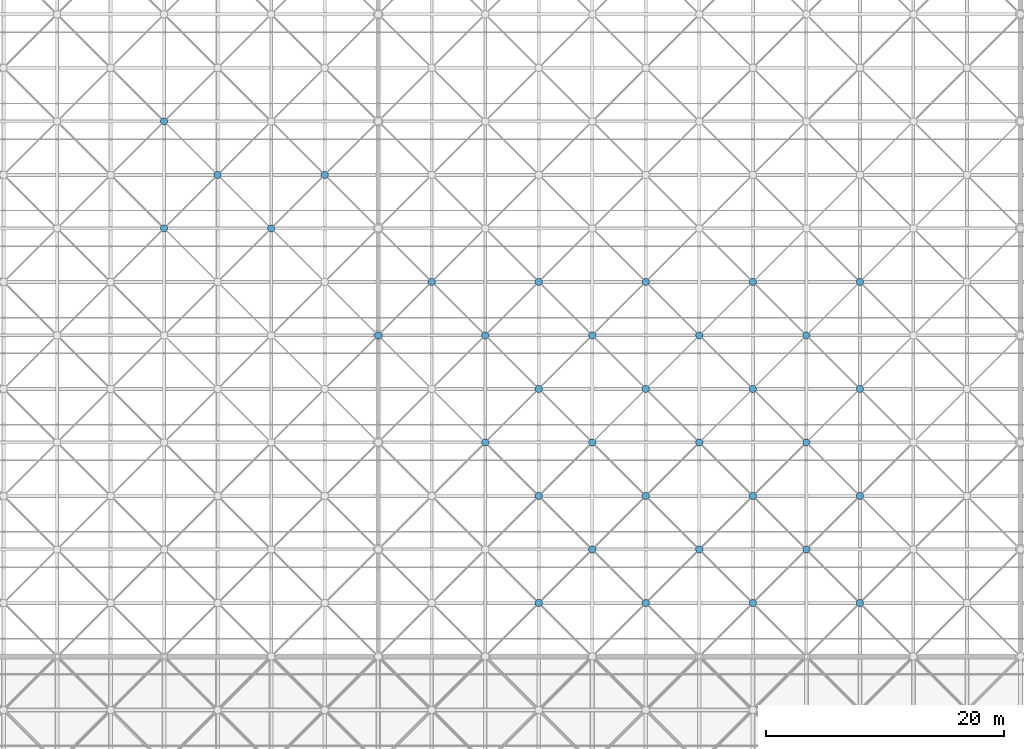
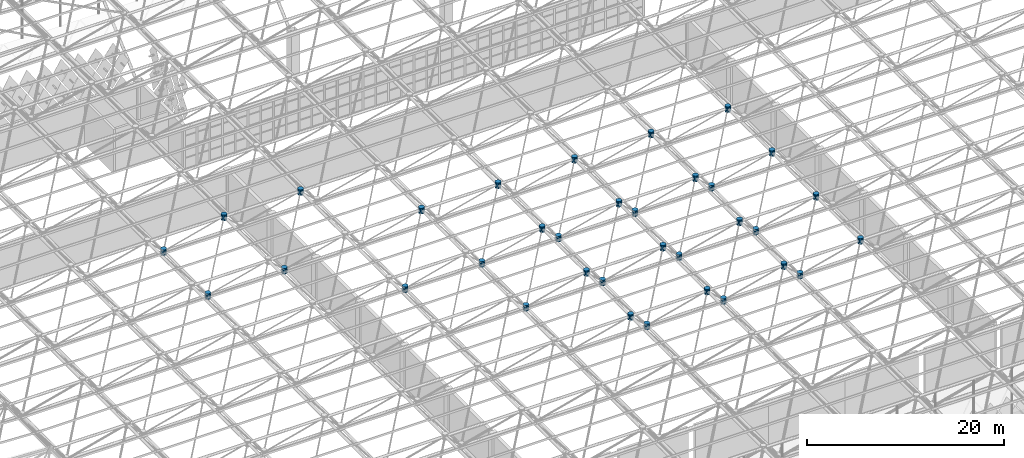
# One storey, part 309 of 437: 34 discrete accessories.
"""IFC4 building model written with IfcOpenShell, lengths in metres."""

from ifc_helpers import new_model, si_unit, direction, frame, origin, place, context, subcontext, project, spatial, polyline, outline, extrude, material, type_object, element, save


model = new_model("IFC4")

# Units and contexts
model_context = context("Model", 3, precision=1e-05, world=origin(), true_north=direction((0.0, 1.0)))
body_context = subcontext(model_context, "Body", "Model", "MODEL_VIEW")
ifc_project = project(units=[si_unit("LENGTHUNIT", "METRE"), si_unit("AREAUNIT", "SQUARE_METRE"), si_unit("VOLUMEUNIT", "CUBIC_METRE"), si_unit("PLANEANGLEUNIT", "RADIAN"), si_unit("MASSUNIT", "GRAM", prefix="KILO")], contexts=[model_context])

# Site, building, storey
site_placement = place(None, origin())
site = spatial("IfcSite", under=ifc_project, at=site_placement, CompositionType="ELEMENT")
building_placement = place(site_placement, origin())
building = spatial("IfcBuilding", under=site, at=building_placement, Name="Opaline Strait Convention Centre", CompositionType="ELEMENT")
storey_placement = place(building_placement, frame((0.0, 0.0, 11.5)))
storey = spatial("IfcBuildingStorey", under=building, at=storey_placement, Name="L02", CompositionType="ELEMENT", Elevation=11.5)

# Discrete accessories
ifc_material = material(Name="Cast steel ZG300-500H (300 MPa)", Category="steel")
discrete_accessory_type = type_object("IfcDiscreteAccessoryType", Name="Space frame node hub D600", PredefinedType="USERDEFINED", material=ifc_material)
discrete_accessory_1_placement = place(storey_placement, frame((0.0, 0.0, 17.611572265625)))
element("IfcDiscreteAccessory", 1, at=discrete_accessory_1_placement, inside=storey, type_object=discrete_accessory_type, Name="Top node 7/9", ObjectType="NODE HUB", PredefinedType="USERDEFINED", context=body_context, shape_type="SweptSolid", body=[
    extrude(outline(polyline([(139.800048828125, 112.559814453125), (139.75439453125, 112.669921875), (139.669921875, 112.75439453125), (139.559814453125, 112.800048828125), (139.440185546875, 112.800048828125), (139.330078125, 112.75439453125), (139.24560546875, 112.669921875), (139.199951171875, 112.559814453125), (139.199951171875, 112.440185546875), (139.24560546875, 112.330078125), (139.330078125, 112.24560546875), (139.440185546875, 112.199951171875), (139.559814453125, 112.199951171875), (139.669921875, 112.24560546875), (139.75439453125, 112.330078125), (139.800048828125, 112.440185546875), (139.800048828125, 112.559814453125)])), origin(), (0.0, 0.0, 1.0), 0.719970703125),
])
discrete_accessory_2_placement = place(storey_placement, frame((0.0, 0.0, 17.611572265625)))
element("IfcDiscreteAccessory", 2, at=discrete_accessory_2_placement, inside=storey, type_object=discrete_accessory_type, Name="Top node 8/9", ObjectType="NODE HUB", PredefinedType="USERDEFINED", context=body_context, shape_type="SweptSolid", body=[
    extrude(outline(polyline([(148.800048828125, 112.559814453125), (148.75439453125, 112.669921875), (148.669921875, 112.75439453125), (148.559814453125, 112.800048828125), (148.440185546875, 112.800048828125), (148.330078125, 112.75439453125), (148.24560546875, 112.669921875), (148.199951171875, 112.559814453125), (148.199951171875, 112.440185546875), (148.24560546875, 112.330078125), (148.330078125, 112.24560546875), (148.440185546875, 112.199951171875), (148.559814453125, 112.199951171875), (148.669921875, 112.24560546875), (148.75439453125, 112.330078125), (148.800048828125, 112.440185546875), (148.800048828125, 112.559814453125)])), origin(), (0.0, 0.0, 1.0), 0.719970703125),
])
discrete_accessory_3_placement = place(storey_placement, frame((0.0, 0.0, 17.611572265625)))
element("IfcDiscreteAccessory", 3, at=discrete_accessory_3_placement, inside=storey, type_object=discrete_accessory_type, Name="Top node 9/8", ObjectType="NODE HUB", PredefinedType="USERDEFINED", context=body_context, shape_type="SweptSolid", body=[
    extrude(outline(polyline([(157.800048828125, 103.559814453125), (157.75439453125, 103.669921875), (157.669921875, 103.75439453125), (157.559814453125, 103.800048828125), (157.440185546875, 103.800048828125), (157.330078125, 103.75439453125), (157.24560546875, 103.669921875), (157.199951171875, 103.559814453125), (157.199951171875, 103.440185546875), (157.24560546875, 103.330078125), (157.330078125, 103.24560546875), (157.440185546875, 103.199951171875), (157.559814453125, 103.199951171875), (157.669921875, 103.24560546875), (157.75439453125, 103.330078125), (157.800048828125, 103.440185546875), (157.800048828125, 103.559814453125)])), origin(), (0.0, 0.0, 1.0), 0.719970703125),
])
discrete_accessory_4_placement = place(storey_placement, frame((0.0, 0.0, 17.611572265625)))
element("IfcDiscreteAccessory", 4, at=discrete_accessory_4_placement, inside=storey, type_object=discrete_accessory_type, Name="Top node 10/5", ObjectType="NODE HUB", PredefinedType="USERDEFINED", context=body_context, shape_type="SweptSolid", body=[
    extrude(outline(polyline([(166.800048828125, 76.559814453125), (166.75439453125, 76.669921875), (166.669921875, 76.75439453125), (166.559814453125, 76.800048828125), (166.440185546875, 76.800048828125), (166.330078125, 76.75439453125), (166.24560546875, 76.669921875), (166.199951171875, 76.559814453125), (166.199951171875, 76.440185546875), (166.24560546875, 76.330078125), (166.330078125, 76.24560546875), (166.440185546875, 76.199951171875), (166.559814453125, 76.199951171875), (166.669921875, 76.24560546875), (166.75439453125, 76.330078125), (166.800048828125, 76.440185546875), (166.800048828125, 76.559814453125)])), origin(), (0.0, 0.0, 1.0), 0.719970703125),
])
discrete_accessory_5_placement = place(storey_placement, frame((0.0, 0.0, 17.611572265625)))
element("IfcDiscreteAccessory", 5, at=discrete_accessory_5_placement, inside=storey, type_object=discrete_accessory_type, Name="Top node 10/6", ObjectType="NODE HUB", PredefinedType="USERDEFINED", context=body_context, shape_type="SweptSolid", body=[
    extrude(outline(polyline([(166.800048828125, 85.559814453125), (166.75439453125, 85.669921875), (166.669921875, 85.75439453125), (166.559814453125, 85.800048828125), (166.440185546875, 85.800048828125), (166.330078125, 85.75439453125), (166.24560546875, 85.669921875), (166.199951171875, 85.559814453125), (166.199951171875, 85.440185546875), (166.24560546875, 85.330078125), (166.330078125, 85.24560546875), (166.440185546875, 85.199951171875), (166.559814453125, 85.199951171875), (166.669921875, 85.24560546875), (166.75439453125, 85.330078125), (166.800048828125, 85.440185546875), (166.800048828125, 85.559814453125)])), origin(), (0.0, 0.0, 1.0), 0.719970703125),
])
discrete_accessory_6_placement = place(storey_placement, frame((0.0, 0.0, 17.611572265625)))
element("IfcDiscreteAccessory", 6, at=discrete_accessory_6_placement, inside=storey, type_object=discrete_accessory_type, Name="Top node 10/7", ObjectType="NODE HUB", PredefinedType="USERDEFINED", context=body_context, shape_type="SweptSolid", body=[
    extrude(outline(polyline([(166.800048828125, 94.559814453125), (166.75439453125, 94.669921875), (166.669921875, 94.75439453125), (166.559814453125, 94.800048828125), (166.440185546875, 94.800048828125), (166.330078125, 94.75439453125), (166.24560546875, 94.669921875), (166.199951171875, 94.559814453125), (166.199951171875, 94.440185546875), (166.24560546875, 94.330078125), (166.330078125, 94.24560546875), (166.440185546875, 94.199951171875), (166.559814453125, 94.199951171875), (166.669921875, 94.24560546875), (166.75439453125, 94.330078125), (166.800048828125, 94.440185546875), (166.800048828125, 94.559814453125)])), origin(), (0.0, 0.0, 1.0), 0.719970703125),
])
discrete_accessory_7_placement = place(storey_placement, frame((0.0, 0.0, 17.611572265625)))
element("IfcDiscreteAccessory", 7, at=discrete_accessory_7_placement, inside=storey, type_object=discrete_accessory_type, Name="Top node 10/8", ObjectType="NODE HUB", PredefinedType="USERDEFINED", context=body_context, shape_type="SweptSolid", body=[
    extrude(outline(polyline([(166.800048828125, 103.559814453125), (166.75439453125, 103.669921875), (166.669921875, 103.75439453125), (166.559814453125, 103.800048828125), (166.440185546875, 103.800048828125), (166.330078125, 103.75439453125), (166.24560546875, 103.669921875), (166.199951171875, 103.559814453125), (166.199951171875, 103.440185546875), (166.24560546875, 103.330078125), (166.330078125, 103.24560546875), (166.440185546875, 103.199951171875), (166.559814453125, 103.199951171875), (166.669921875, 103.24560546875), (166.75439453125, 103.330078125), (166.800048828125, 103.440185546875), (166.800048828125, 103.559814453125)])), origin(), (0.0, 0.0, 1.0), 0.719970703125),
])
discrete_accessory_8_placement = place(storey_placement, frame((0.0, 0.0, 17.611572265625)))
element("IfcDiscreteAccessory", 8, at=discrete_accessory_8_placement, inside=storey, type_object=discrete_accessory_type, Name="Top node 11/5", ObjectType="NODE HUB", PredefinedType="USERDEFINED", context=body_context, shape_type="SweptSolid", body=[
    extrude(outline(polyline([(175.800048828125, 76.559814453125), (175.75439453125, 76.669921875), (175.669921875, 76.75439453125), (175.559814453125, 76.800048828125), (175.440185546875, 76.800048828125), (175.330078125, 76.75439453125), (175.24560546875, 76.669921875), (175.199951171875, 76.559814453125), (175.199951171875, 76.440185546875), (175.24560546875, 76.330078125), (175.330078125, 76.24560546875), (175.440185546875, 76.199951171875), (175.559814453125, 76.199951171875), (175.669921875, 76.24560546875), (175.75439453125, 76.330078125), (175.800048828125, 76.440185546875), (175.800048828125, 76.559814453125)])), origin(), (0.0, 0.0, 1.0), 0.719970703125),
])
discrete_accessory_9_placement = place(storey_placement, frame((0.0, 0.0, 17.611572265625)))
element("IfcDiscreteAccessory", 9, at=discrete_accessory_9_placement, inside=storey, type_object=discrete_accessory_type, Name="Top node 11/6", ObjectType="NODE HUB", PredefinedType="USERDEFINED", context=body_context, shape_type="SweptSolid", body=[
    extrude(outline(polyline([(175.800048828125, 85.559814453125), (175.75439453125, 85.669921875), (175.669921875, 85.75439453125), (175.559814453125, 85.800048828125), (175.440185546875, 85.800048828125), (175.330078125, 85.75439453125), (175.24560546875, 85.669921875), (175.199951171875, 85.559814453125), (175.199951171875, 85.440185546875), (175.24560546875, 85.330078125), (175.330078125, 85.24560546875), (175.440185546875, 85.199951171875), (175.559814453125, 85.199951171875), (175.669921875, 85.24560546875), (175.75439453125, 85.330078125), (175.800048828125, 85.440185546875), (175.800048828125, 85.559814453125)])), origin(), (0.0, 0.0, 1.0), 0.719970703125),
])
discrete_accessory_10_placement = place(storey_placement, frame((0.0, 0.0, 17.611572265625)))
element("IfcDiscreteAccessory", 10, at=discrete_accessory_10_placement, inside=storey, type_object=discrete_accessory_type, Name="Top node 11/7", ObjectType="NODE HUB", PredefinedType="USERDEFINED", context=body_context, shape_type="SweptSolid", body=[
    extrude(outline(polyline([(175.800048828125, 94.559814453125), (175.75439453125, 94.669921875), (175.669921875, 94.75439453125), (175.559814453125, 94.800048828125), (175.440185546875, 94.800048828125), (175.330078125, 94.75439453125), (175.24560546875, 94.669921875), (175.199951171875, 94.559814453125), (175.199951171875, 94.440185546875), (175.24560546875, 94.330078125), (175.330078125, 94.24560546875), (175.440185546875, 94.199951171875), (175.559814453125, 94.199951171875), (175.669921875, 94.24560546875), (175.75439453125, 94.330078125), (175.800048828125, 94.440185546875), (175.800048828125, 94.559814453125)])), origin(), (0.0, 0.0, 1.0), 0.719970703125),
])
discrete_accessory_11_placement = place(storey_placement, frame((0.0, 0.0, 17.611572265625)))
element("IfcDiscreteAccessory", 11, at=discrete_accessory_11_placement, inside=storey, type_object=discrete_accessory_type, Name="Top node 11/8", ObjectType="NODE HUB", PredefinedType="USERDEFINED", context=body_context, shape_type="SweptSolid", body=[
    extrude(outline(polyline([(175.800048828125, 103.559814453125), (175.75439453125, 103.669921875), (175.669921875, 103.75439453125), (175.559814453125, 103.800048828125), (175.440185546875, 103.800048828125), (175.330078125, 103.75439453125), (175.24560546875, 103.669921875), (175.199951171875, 103.559814453125), (175.199951171875, 103.440185546875), (175.24560546875, 103.330078125), (175.330078125, 103.24560546875), (175.440185546875, 103.199951171875), (175.559814453125, 103.199951171875), (175.669921875, 103.24560546875), (175.75439453125, 103.330078125), (175.800048828125, 103.440185546875), (175.800048828125, 103.559814453125)])), origin(), (0.0, 0.0, 1.0), 0.719970703125),
])
discrete_accessory_12_placement = place(storey_placement, frame((0.0, 0.0, 17.611572265625)))
element("IfcDiscreteAccessory", 12, at=discrete_accessory_12_placement, inside=storey, type_object=discrete_accessory_type, Name="Top node 12/5", ObjectType="NODE HUB", PredefinedType="USERDEFINED", context=body_context, shape_type="SweptSolid", body=[
    extrude(outline(polyline([(184.800048828125, 76.559814453125), (184.75439453125, 76.669921875), (184.669921875, 76.75439453125), (184.559814453125, 76.800048828125), (184.440185546875, 76.800048828125), (184.330078125, 76.75439453125), (184.24560546875, 76.669921875), (184.199951171875, 76.559814453125), (184.199951171875, 76.440185546875), (184.24560546875, 76.330078125), (184.330078125, 76.24560546875), (184.440185546875, 76.199951171875), (184.559814453125, 76.199951171875), (184.669921875, 76.24560546875), (184.75439453125, 76.330078125), (184.800048828125, 76.440185546875), (184.800048828125, 76.559814453125)])), origin(), (0.0, 0.0, 1.0), 0.719970703125),
])
discrete_accessory_13_placement = place(storey_placement, frame((0.0, 0.0, 17.611572265625)))
element("IfcDiscreteAccessory", 13, at=discrete_accessory_13_placement, inside=storey, type_object=discrete_accessory_type, Name="Top node 12/6", ObjectType="NODE HUB", PredefinedType="USERDEFINED", context=body_context, shape_type="SweptSolid", body=[
    extrude(outline(polyline([(184.800048828125, 85.559814453125), (184.75439453125, 85.669921875), (184.669921875, 85.75439453125), (184.559814453125, 85.800048828125), (184.440185546875, 85.800048828125), (184.330078125, 85.75439453125), (184.24560546875, 85.669921875), (184.199951171875, 85.559814453125), (184.199951171875, 85.440185546875), (184.24560546875, 85.330078125), (184.330078125, 85.24560546875), (184.440185546875, 85.199951171875), (184.559814453125, 85.199951171875), (184.669921875, 85.24560546875), (184.75439453125, 85.330078125), (184.800048828125, 85.440185546875), (184.800048828125, 85.559814453125)])), origin(), (0.0, 0.0, 1.0), 0.719970703125),
])
discrete_accessory_14_placement = place(storey_placement, frame((0.0, 0.0, 17.611572265625)))
element("IfcDiscreteAccessory", 14, at=discrete_accessory_14_placement, inside=storey, type_object=discrete_accessory_type, Name="Top node 12/7", ObjectType="NODE HUB", PredefinedType="USERDEFINED", context=body_context, shape_type="SweptSolid", body=[
    extrude(outline(polyline([(184.800048828125, 94.559814453125), (184.75439453125, 94.669921875), (184.669921875, 94.75439453125), (184.559814453125, 94.800048828125), (184.440185546875, 94.800048828125), (184.330078125, 94.75439453125), (184.24560546875, 94.669921875), (184.199951171875, 94.559814453125), (184.199951171875, 94.440185546875), (184.24560546875, 94.330078125), (184.330078125, 94.24560546875), (184.440185546875, 94.199951171875), (184.559814453125, 94.199951171875), (184.669921875, 94.24560546875), (184.75439453125, 94.330078125), (184.800048828125, 94.440185546875), (184.800048828125, 94.559814453125)])), origin(), (0.0, 0.0, 1.0), 0.719970703125),
])
discrete_accessory_15_placement = place(storey_placement, frame((0.0, 0.0, 17.611572265625)))
element("IfcDiscreteAccessory", 15, at=discrete_accessory_15_placement, inside=storey, type_object=discrete_accessory_type, Name="Top node 12/8", ObjectType="NODE HUB", PredefinedType="USERDEFINED", context=body_context, shape_type="SweptSolid", body=[
    extrude(outline(polyline([(184.800048828125, 103.559814453125), (184.75439453125, 103.669921875), (184.669921875, 103.75439453125), (184.559814453125, 103.800048828125), (184.440185546875, 103.800048828125), (184.330078125, 103.75439453125), (184.24560546875, 103.669921875), (184.199951171875, 103.559814453125), (184.199951171875, 103.440185546875), (184.24560546875, 103.330078125), (184.330078125, 103.24560546875), (184.440185546875, 103.199951171875), (184.559814453125, 103.199951171875), (184.669921875, 103.24560546875), (184.75439453125, 103.330078125), (184.800048828125, 103.440185546875), (184.800048828125, 103.559814453125)])), origin(), (0.0, 0.0, 1.0), 0.719970703125),
])
discrete_accessory_16_placement = place(storey_placement, frame((0.0, 0.0, 17.611572265625)))
element("IfcDiscreteAccessory", 16, at=discrete_accessory_16_placement, inside=storey, type_object=discrete_accessory_type, Name="Top node 13/5", ObjectType="NODE HUB", PredefinedType="USERDEFINED", context=body_context, shape_type="SweptSolid", body=[
    extrude(outline(polyline([(193.800048828125, 76.559814453125), (193.75439453125, 76.669921875), (193.669921875, 76.75439453125), (193.559814453125, 76.800048828125), (193.440185546875, 76.800048828125), (193.330078125, 76.75439453125), (193.24560546875, 76.669921875), (193.199951171875, 76.559814453125), (193.199951171875, 76.440185546875), (193.24560546875, 76.330078125), (193.330078125, 76.24560546875), (193.440185546875, 76.199951171875), (193.559814453125, 76.199951171875), (193.669921875, 76.24560546875), (193.75439453125, 76.330078125), (193.800048828125, 76.440185546875), (193.800048828125, 76.559814453125)])), origin(), (0.0, 0.0, 1.0), 0.719970703125),
])
discrete_accessory_17_placement = place(storey_placement, frame((0.0, 0.0, 17.611572265625)))
element("IfcDiscreteAccessory", 17, at=discrete_accessory_17_placement, inside=storey, type_object=discrete_accessory_type, Name="Top node 13/6", ObjectType="NODE HUB", PredefinedType="USERDEFINED", context=body_context, shape_type="SweptSolid", body=[
    extrude(outline(polyline([(193.800048828125, 85.559814453125), (193.75439453125, 85.669921875), (193.669921875, 85.75439453125), (193.559814453125, 85.800048828125), (193.440185546875, 85.800048828125), (193.330078125, 85.75439453125), (193.24560546875, 85.669921875), (193.199951171875, 85.559814453125), (193.199951171875, 85.440185546875), (193.24560546875, 85.330078125), (193.330078125, 85.24560546875), (193.440185546875, 85.199951171875), (193.559814453125, 85.199951171875), (193.669921875, 85.24560546875), (193.75439453125, 85.330078125), (193.800048828125, 85.440185546875), (193.800048828125, 85.559814453125)])), origin(), (0.0, 0.0, 1.0), 0.719970703125),
])
discrete_accessory_18_placement = place(storey_placement, frame((0.0, 0.0, 17.611572265625)))
element("IfcDiscreteAccessory", 18, at=discrete_accessory_18_placement, inside=storey, type_object=discrete_accessory_type, Name="Top node 13/7", ObjectType="NODE HUB", PredefinedType="USERDEFINED", context=body_context, shape_type="SweptSolid", body=[
    extrude(outline(polyline([(193.800048828125, 94.559814453125), (193.75439453125, 94.669921875), (193.669921875, 94.75439453125), (193.559814453125, 94.800048828125), (193.440185546875, 94.800048828125), (193.330078125, 94.75439453125), (193.24560546875, 94.669921875), (193.199951171875, 94.559814453125), (193.199951171875, 94.440185546875), (193.24560546875, 94.330078125), (193.330078125, 94.24560546875), (193.440185546875, 94.199951171875), (193.559814453125, 94.199951171875), (193.669921875, 94.24560546875), (193.75439453125, 94.330078125), (193.800048828125, 94.440185546875), (193.800048828125, 94.559814453125)])), origin(), (0.0, 0.0, 1.0), 0.719970703125),
])
discrete_accessory_19_placement = place(storey_placement, frame((0.0, 0.0, 17.611572265625)))
element("IfcDiscreteAccessory", 19, at=discrete_accessory_19_placement, inside=storey, type_object=discrete_accessory_type, Name="Top node 13/8", ObjectType="NODE HUB", PredefinedType="USERDEFINED", context=body_context, shape_type="SweptSolid", body=[
    extrude(outline(polyline([(193.800048828125, 103.559814453125), (193.75439453125, 103.669921875), (193.669921875, 103.75439453125), (193.559814453125, 103.800048828125), (193.440185546875, 103.800048828125), (193.330078125, 103.75439453125), (193.24560546875, 103.669921875), (193.199951171875, 103.559814453125), (193.199951171875, 103.440185546875), (193.24560546875, 103.330078125), (193.330078125, 103.24560546875), (193.440185546875, 103.199951171875), (193.559814453125, 103.199951171875), (193.669921875, 103.24560546875), (193.75439453125, 103.330078125), (193.800048828125, 103.440185546875), (193.800048828125, 103.559814453125)])), origin(), (0.0, 0.0, 1.0), 0.719970703125),
])
discrete_accessory_20_placement = place(storey_placement, frame((0.0, 0.0, 12.139892578125)))
element("IfcDiscreteAccessory", 20, at=discrete_accessory_20_placement, inside=storey, type_object=discrete_accessory_type, Name="Bottom node 6/8", ObjectType="NODE HUB", PredefinedType="USERDEFINED", context=body_context, shape_type="SweptSolid", body=[
    extrude(outline(polyline([(135.300048828125, 108.059814453125), (135.25439453125, 108.169921875), (135.169921875, 108.25439453125), (135.059814453125, 108.300048828125), (134.940185546875, 108.300048828125), (134.830078125, 108.25439453125), (134.74560546875, 108.169921875), (134.699951171875, 108.059814453125), (134.699951171875, 107.940185546875), (134.74560546875, 107.830078125), (134.830078125, 107.74560546875), (134.940185546875, 107.699951171875), (135.059814453125, 107.699951171875), (135.169921875, 107.74560546875), (135.25439453125, 107.830078125), (135.300048828125, 107.940185546875), (135.300048828125, 108.059814453125)])), origin(), (0.0, 0.0, 1.0), 0.72021484375),
])
discrete_accessory_21_placement = place(storey_placement, frame((0.0, 0.0, 12.139892578125)))
element("IfcDiscreteAccessory", 21, at=discrete_accessory_21_placement, inside=storey, type_object=discrete_accessory_type, Name="Bottom node 6/9", ObjectType="NODE HUB", PredefinedType="USERDEFINED", context=body_context, shape_type="SweptSolid", body=[
    extrude(outline(polyline([(135.300048828125, 117.059814453125), (135.25439453125, 117.169921875), (135.169921875, 117.25439453125), (135.059814453125, 117.300048828125), (134.940185546875, 117.300048828125), (134.830078125, 117.25439453125), (134.74560546875, 117.169921875), (134.699951171875, 117.059814453125), (134.699951171875, 116.940185546875), (134.74560546875, 116.830078125), (134.830078125, 116.74560546875), (134.940185546875, 116.699951171875), (135.059814453125, 116.699951171875), (135.169921875, 116.74560546875), (135.25439453125, 116.830078125), (135.300048828125, 116.940185546875), (135.300048828125, 117.059814453125)])), origin(), (0.0, 0.0, 1.0), 0.72021484375),
])
discrete_accessory_22_placement = place(storey_placement, frame((0.0, 0.0, 12.139892578125)))
element("IfcDiscreteAccessory", 22, at=discrete_accessory_22_placement, inside=storey, type_object=discrete_accessory_type, Name="Bottom node 7/8", ObjectType="NODE HUB", PredefinedType="USERDEFINED", context=body_context, shape_type="SweptSolid", body=[
    extrude(outline(polyline([(144.300048828125, 108.059814453125), (144.25439453125, 108.169921875), (144.169921875, 108.25439453125), (144.059814453125, 108.300048828125), (143.940185546875, 108.300048828125), (143.830078125, 108.25439453125), (143.74560546875, 108.169921875), (143.699951171875, 108.059814453125), (143.699951171875, 107.940185546875), (143.74560546875, 107.830078125), (143.830078125, 107.74560546875), (143.940185546875, 107.699951171875), (144.059814453125, 107.699951171875), (144.169921875, 107.74560546875), (144.25439453125, 107.830078125), (144.300048828125, 107.940185546875), (144.300048828125, 108.059814453125)])), origin(), (0.0, 0.0, 1.0), 0.72021484375),
])
discrete_accessory_23_placement = place(storey_placement, frame((0.0, 0.0, 12.139892578125)))
element("IfcDiscreteAccessory", 23, at=discrete_accessory_23_placement, inside=storey, type_object=discrete_accessory_type, Name="Bottom node 8/7", ObjectType="NODE HUB", PredefinedType="USERDEFINED", context=body_context, shape_type="SweptSolid", body=[
    extrude(outline(polyline([(153.300048828125, 99.059814453125), (153.25439453125, 99.169921875), (153.169921875, 99.25439453125), (153.059814453125, 99.300048828125), (152.940185546875, 99.300048828125), (152.830078125, 99.25439453125), (152.74560546875, 99.169921875), (152.699951171875, 99.059814453125), (152.699951171875, 98.940185546875), (152.74560546875, 98.830078125), (152.830078125, 98.74560546875), (152.940185546875, 98.699951171875), (153.059814453125, 98.699951171875), (153.169921875, 98.74560546875), (153.25439453125, 98.830078125), (153.300048828125, 98.940185546875), (153.300048828125, 99.059814453125)])), origin(), (0.0, 0.0, 1.0), 0.72021484375),
])
discrete_accessory_24_placement = place(storey_placement, frame((0.0, 0.0, 12.139892578125)))
element("IfcDiscreteAccessory", 24, at=discrete_accessory_24_placement, inside=storey, type_object=discrete_accessory_type, Name="Bottom node 9/6", ObjectType="NODE HUB", PredefinedType="USERDEFINED", context=body_context, shape_type="SweptSolid", body=[
    extrude(outline(polyline([(162.300048828125, 90.059814453125), (162.25439453125, 90.169921875), (162.169921875, 90.25439453125), (162.059814453125, 90.300048828125), (161.940185546875, 90.300048828125), (161.830078125, 90.25439453125), (161.74560546875, 90.169921875), (161.699951171875, 90.059814453125), (161.699951171875, 89.940185546875), (161.74560546875, 89.830078125), (161.830078125, 89.74560546875), (161.940185546875, 89.699951171875), (162.059814453125, 89.699951171875), (162.169921875, 89.74560546875), (162.25439453125, 89.830078125), (162.300048828125, 89.940185546875), (162.300048828125, 90.059814453125)])), origin(), (0.0, 0.0, 1.0), 0.72021484375),
])
discrete_accessory_25_placement = place(storey_placement, frame((0.0, 0.0, 12.139892578125)))
element("IfcDiscreteAccessory", 25, at=discrete_accessory_25_placement, inside=storey, type_object=discrete_accessory_type, Name="Bottom node 9/7", ObjectType="NODE HUB", PredefinedType="USERDEFINED", context=body_context, shape_type="SweptSolid", body=[
    extrude(outline(polyline([(162.300048828125, 99.059814453125), (162.25439453125, 99.169921875), (162.169921875, 99.25439453125), (162.059814453125, 99.300048828125), (161.940185546875, 99.300048828125), (161.830078125, 99.25439453125), (161.74560546875, 99.169921875), (161.699951171875, 99.059814453125), (161.699951171875, 98.940185546875), (161.74560546875, 98.830078125), (161.830078125, 98.74560546875), (161.940185546875, 98.699951171875), (162.059814453125, 98.699951171875), (162.169921875, 98.74560546875), (162.25439453125, 98.830078125), (162.300048828125, 98.940185546875), (162.300048828125, 99.059814453125)])), origin(), (0.0, 0.0, 1.0), 0.72021484375),
])
discrete_accessory_26_placement = place(storey_placement, frame((0.0, 0.0, 12.139892578125)))
element("IfcDiscreteAccessory", 26, at=discrete_accessory_26_placement, inside=storey, type_object=discrete_accessory_type, Name="Bottom node 10/5", ObjectType="NODE HUB", PredefinedType="USERDEFINED", context=body_context, shape_type="SweptSolid", body=[
    extrude(outline(polyline([(171.300048828125, 81.059814453125), (171.25439453125, 81.169921875), (171.169921875, 81.25439453125), (171.059814453125, 81.300048828125), (170.940185546875, 81.300048828125), (170.830078125, 81.25439453125), (170.74560546875, 81.169921875), (170.699951171875, 81.059814453125), (170.699951171875, 80.940185546875), (170.74560546875, 80.830078125), (170.830078125, 80.74560546875), (170.940185546875, 80.699951171875), (171.059814453125, 80.699951171875), (171.169921875, 80.74560546875), (171.25439453125, 80.830078125), (171.300048828125, 80.940185546875), (171.300048828125, 81.059814453125)])), origin(), (0.0, 0.0, 1.0), 0.72021484375),
])
discrete_accessory_27_placement = place(storey_placement, frame((0.0, 0.0, 12.139892578125)))
element("IfcDiscreteAccessory", 27, at=discrete_accessory_27_placement, inside=storey, type_object=discrete_accessory_type, Name="Bottom node 10/6", ObjectType="NODE HUB", PredefinedType="USERDEFINED", context=body_context, shape_type="SweptSolid", body=[
    extrude(outline(polyline([(171.300048828125, 90.059814453125), (171.25439453125, 90.169921875), (171.169921875, 90.25439453125), (171.059814453125, 90.300048828125), (170.940185546875, 90.300048828125), (170.830078125, 90.25439453125), (170.74560546875, 90.169921875), (170.699951171875, 90.059814453125), (170.699951171875, 89.940185546875), (170.74560546875, 89.830078125), (170.830078125, 89.74560546875), (170.940185546875, 89.699951171875), (171.059814453125, 89.699951171875), (171.169921875, 89.74560546875), (171.25439453125, 89.830078125), (171.300048828125, 89.940185546875), (171.300048828125, 90.059814453125)])), origin(), (0.0, 0.0, 1.0), 0.72021484375),
])
discrete_accessory_28_placement = place(storey_placement, frame((0.0, 0.0, 12.139892578125)))
element("IfcDiscreteAccessory", 28, at=discrete_accessory_28_placement, inside=storey, type_object=discrete_accessory_type, Name="Bottom node 10/7", ObjectType="NODE HUB", PredefinedType="USERDEFINED", context=body_context, shape_type="SweptSolid", body=[
    extrude(outline(polyline([(171.300048828125, 99.059814453125), (171.25439453125, 99.169921875), (171.169921875, 99.25439453125), (171.059814453125, 99.300048828125), (170.940185546875, 99.300048828125), (170.830078125, 99.25439453125), (170.74560546875, 99.169921875), (170.699951171875, 99.059814453125), (170.699951171875, 98.940185546875), (170.74560546875, 98.830078125), (170.830078125, 98.74560546875), (170.940185546875, 98.699951171875), (171.059814453125, 98.699951171875), (171.169921875, 98.74560546875), (171.25439453125, 98.830078125), (171.300048828125, 98.940185546875), (171.300048828125, 99.059814453125)])), origin(), (0.0, 0.0, 1.0), 0.72021484375),
])
discrete_accessory_29_placement = place(storey_placement, frame((0.0, 0.0, 12.139892578125)))
element("IfcDiscreteAccessory", 29, at=discrete_accessory_29_placement, inside=storey, type_object=discrete_accessory_type, Name="Bottom node 11/5", ObjectType="NODE HUB", PredefinedType="USERDEFINED", context=body_context, shape_type="SweptSolid", body=[
    extrude(outline(polyline([(180.300048828125, 81.059814453125), (180.25439453125, 81.169921875), (180.169921875, 81.25439453125), (180.059814453125, 81.300048828125), (179.940185546875, 81.300048828125), (179.830078125, 81.25439453125), (179.74560546875, 81.169921875), (179.699951171875, 81.059814453125), (179.699951171875, 80.940185546875), (179.74560546875, 80.830078125), (179.830078125, 80.74560546875), (179.940185546875, 80.699951171875), (180.059814453125, 80.699951171875), (180.169921875, 80.74560546875), (180.25439453125, 80.830078125), (180.300048828125, 80.940185546875), (180.300048828125, 81.059814453125)])), origin(), (0.0, 0.0, 1.0), 0.72021484375),
])
discrete_accessory_30_placement = place(storey_placement, frame((0.0, 0.0, 12.139892578125)))
element("IfcDiscreteAccessory", 30, at=discrete_accessory_30_placement, inside=storey, type_object=discrete_accessory_type, Name="Bottom node 11/6", ObjectType="NODE HUB", PredefinedType="USERDEFINED", context=body_context, shape_type="SweptSolid", body=[
    extrude(outline(polyline([(180.300048828125, 90.059814453125), (180.25439453125, 90.169921875), (180.169921875, 90.25439453125), (180.059814453125, 90.300048828125), (179.940185546875, 90.300048828125), (179.830078125, 90.25439453125), (179.74560546875, 90.169921875), (179.699951171875, 90.059814453125), (179.699951171875, 89.940185546875), (179.74560546875, 89.830078125), (179.830078125, 89.74560546875), (179.940185546875, 89.699951171875), (180.059814453125, 89.699951171875), (180.169921875, 89.74560546875), (180.25439453125, 89.830078125), (180.300048828125, 89.940185546875), (180.300048828125, 90.059814453125)])), origin(), (0.0, 0.0, 1.0), 0.72021484375),
])
discrete_accessory_31_placement = place(storey_placement, frame((0.0, 0.0, 12.139892578125)))
element("IfcDiscreteAccessory", 31, at=discrete_accessory_31_placement, inside=storey, type_object=discrete_accessory_type, Name="Bottom node 11/7", ObjectType="NODE HUB", PredefinedType="USERDEFINED", context=body_context, shape_type="SweptSolid", body=[
    extrude(outline(polyline([(180.300048828125, 99.059814453125), (180.25439453125, 99.169921875), (180.169921875, 99.25439453125), (180.059814453125, 99.300048828125), (179.940185546875, 99.300048828125), (179.830078125, 99.25439453125), (179.74560546875, 99.169921875), (179.699951171875, 99.059814453125), (179.699951171875, 98.940185546875), (179.74560546875, 98.830078125), (179.830078125, 98.74560546875), (179.940185546875, 98.699951171875), (180.059814453125, 98.699951171875), (180.169921875, 98.74560546875), (180.25439453125, 98.830078125), (180.300048828125, 98.940185546875), (180.300048828125, 99.059814453125)])), origin(), (0.0, 0.0, 1.0), 0.72021484375),
])
discrete_accessory_32_placement = place(storey_placement, frame((0.0, 0.0, 12.139892578125)))
element("IfcDiscreteAccessory", 32, at=discrete_accessory_32_placement, inside=storey, type_object=discrete_accessory_type, Name="Bottom node 12/5", ObjectType="NODE HUB", PredefinedType="USERDEFINED", context=body_context, shape_type="SweptSolid", body=[
    extrude(outline(polyline([(189.300048828125, 81.059814453125), (189.25439453125, 81.169921875), (189.169921875, 81.25439453125), (189.059814453125, 81.300048828125), (188.940185546875, 81.300048828125), (188.830078125, 81.25439453125), (188.74560546875, 81.169921875), (188.699951171875, 81.059814453125), (188.699951171875, 80.940185546875), (188.74560546875, 80.830078125), (188.830078125, 80.74560546875), (188.940185546875, 80.699951171875), (189.059814453125, 80.699951171875), (189.169921875, 80.74560546875), (189.25439453125, 80.830078125), (189.300048828125, 80.940185546875), (189.300048828125, 81.059814453125)])), origin(), (0.0, 0.0, 1.0), 0.72021484375),
])
discrete_accessory_33_placement = place(storey_placement, frame((0.0, 0.0, 12.139892578125)))
element("IfcDiscreteAccessory", 33, at=discrete_accessory_33_placement, inside=storey, type_object=discrete_accessory_type, Name="Bottom node 12/6", ObjectType="NODE HUB", PredefinedType="USERDEFINED", context=body_context, shape_type="SweptSolid", body=[
    extrude(outline(polyline([(189.300048828125, 90.059814453125), (189.25439453125, 90.169921875), (189.169921875, 90.25439453125), (189.059814453125, 90.300048828125), (188.940185546875, 90.300048828125), (188.830078125, 90.25439453125), (188.74560546875, 90.169921875), (188.699951171875, 90.059814453125), (188.699951171875, 89.940185546875), (188.74560546875, 89.830078125), (188.830078125, 89.74560546875), (188.940185546875, 89.699951171875), (189.059814453125, 89.699951171875), (189.169921875, 89.74560546875), (189.25439453125, 89.830078125), (189.300048828125, 89.940185546875), (189.300048828125, 90.059814453125)])), origin(), (0.0, 0.0, 1.0), 0.72021484375),
])
discrete_accessory_34_placement = place(storey_placement, frame((0.0, 0.0, 12.139892578125)))
element("IfcDiscreteAccessory", 34, at=discrete_accessory_34_placement, inside=storey, type_object=discrete_accessory_type, Name="Bottom node 12/7", ObjectType="NODE HUB", PredefinedType="USERDEFINED", context=body_context, shape_type="SweptSolid", body=[
    extrude(outline(polyline([(189.300048828125, 99.059814453125), (189.25439453125, 99.169921875), (189.169921875, 99.25439453125), (189.059814453125, 99.300048828125), (188.940185546875, 99.300048828125), (188.830078125, 99.25439453125), (188.74560546875, 99.169921875), (188.699951171875, 99.059814453125), (188.699951171875, 98.940185546875), (188.74560546875, 98.830078125), (188.830078125, 98.74560546875), (188.940185546875, 98.699951171875), (189.059814453125, 98.699951171875), (189.169921875, 98.74560546875), (189.25439453125, 98.830078125), (189.300048828125, 98.940185546875), (189.300048828125, 99.059814453125)])), origin(), (0.0, 0.0, 1.0), 0.72021484375),
])

save(model, "model.ifc")
